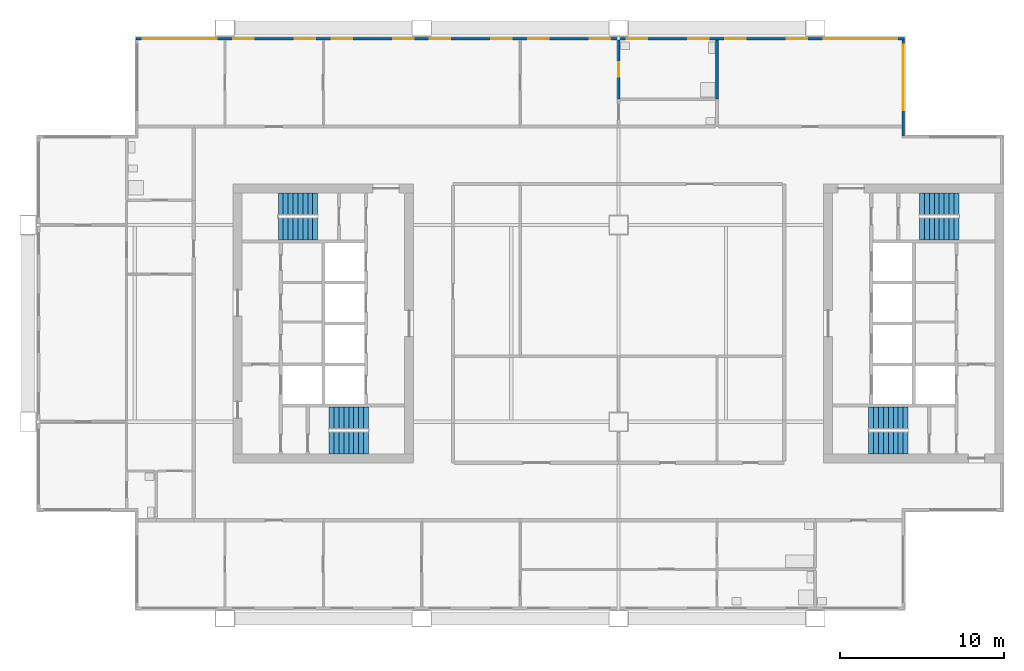
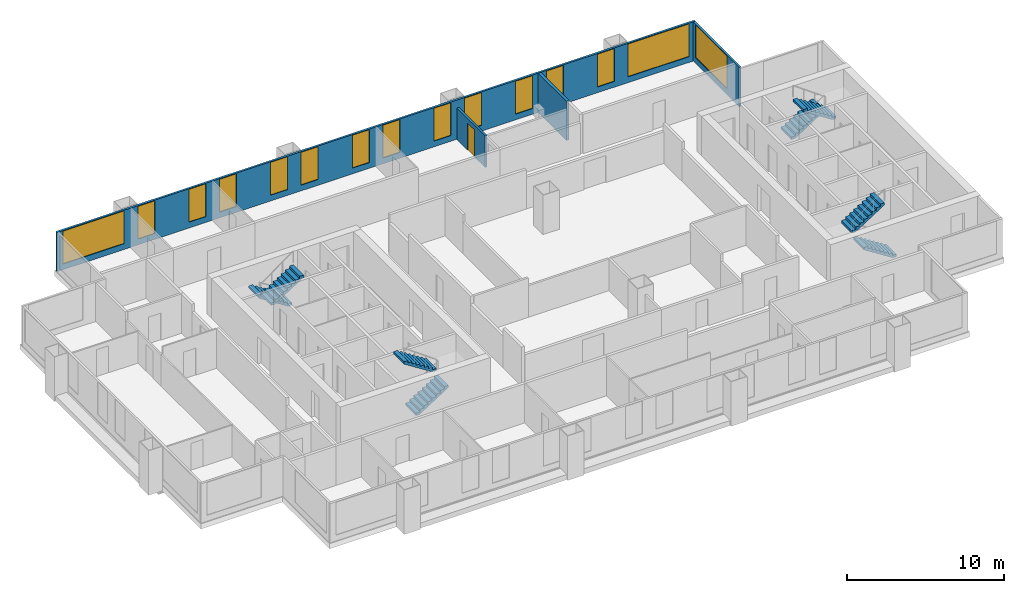
# One storey, part 7 of 9: 15 windows, 8 stair flights, 4 walls, 1 door, 16 openings, 4 elements without a shape of their own.
"""IFC4 building model written with IfcOpenShell, lengths in metres."""

from ifc_helpers import new_model, si_unit, direction, frame, frame_2d, origin, place, context, subcontext, project, spatial, polyline, rectangle, outline, extrude, material, layer, layer_set, type_object, element, fill, aggregate, save


model = new_model("IFC4")

# Units and contexts
model_context = context("Model", 3, precision=1e-05, world=origin(), true_north=direction((0.0, 1.0)))
body_context = subcontext(model_context, "Body", "Model", "MODEL_VIEW")
ifc_project = project(units=[si_unit("LENGTHUNIT", "METRE"), si_unit("AREAUNIT", "SQUARE_METRE"), si_unit("VOLUMEUNIT", "CUBIC_METRE"), si_unit("PLANEANGLEUNIT", "RADIAN"), si_unit("MASSUNIT", "GRAM", prefix="KILO")], contexts=[model_context])

# Site, building, storey
site_placement = place(None, origin())
site = spatial("IfcSite", under=ifc_project, at=site_placement, CompositionType="ELEMENT")
building_placement = place(site_placement, origin())
building = spatial("IfcBuilding", under=site, at=building_placement, Name="Kitamizu Gate Tower and Museum", CompositionType="ELEMENT")
storey_placement = place(building_placement, frame((0.0, 0.0, 196.199951171875)))
storey = spatial("IfcBuildingStorey", under=building, at=storey_placement, Name="L52", CompositionType="ELEMENT", Elevation=196.199951171875)

# Wall, opening, door
ifc_material_1 = material(Name="Gypsum board on galvanised stud")
ifc_layer_1 = layer(ifc_material_1, 0.14990234375)
ifc_layer_set_1 = layer_set([ifc_layer_1], Name="Gypsum board on galvanised stud")
wall_type_1 = type_object("IfcWallType", Name="Partition 150", PredefinedType="PARTITIONING", material=ifc_layer_set_1)
wall_1_placement = place(storey_placement, frame((36.0, 43.679931640625, 0.0), z_axis=(0.0, 0.0, 1.0), x_axis=(0.0, 1.0, 0.0)))
wall_1 = element("IfcWall", 1, at=wall_1_placement, inside=storey, type_object=wall_type_1, Name="Partition L52-030", PredefinedType="PARTITIONING", context=body_context, shape_type="SweptSolid", body=[
    extrude(rectangle(XDim=3.60009765625, YDim=0.14990234375, at=frame_2d((1.800048828125, 0.0))), origin(), (0.0, 0.0, 1.0), 2.449951171875),
])
opening_1_placement = place(wall_1_placement, frame((1.35009765625, 0.0, 0.0)))
opening_1 = element("IfcOpeningElement", 2, at=opening_1_placement, cuts=wall_1, Name="Opening L52-013", PredefinedType="OPENING", context=body_context, shape_type="SweptSolid", body=[
    extrude(rectangle(XDim=0.89990234375, YDim=2.10009765625, at=frame_2d((0.449951171875, 1.050048828125))), frame((0.0, 0.0849609375, 0.0), z_axis=(0.0, -1.0, 0.0), x_axis=(1.0, 0.0, 0.0)), (0.0, 0.0, 1.0), 0.169921875),
])
ifc_material_2 = material(Name="Timber door set", Category="wood")
door_type = type_object("IfcDoorType", Name="Bathroom door 900", OperationType="NOTDEFINED", PredefinedType="DOOR", material=ifc_material_2)
door_placement = place(opening_1_placement, frame((0.89990234375, 0.0, 0.0), x_axis=(-1.0, 0.0, 0.0)))
door = element("IfcDoor", 3, at=door_placement, inside=storey, type_object=door_type, Name="Bathroom door L52-013", OperationType="SINGLE_SWING_LEFT", OverallHeight=2.10009765625, OverallWidth=0.89990234375, PredefinedType="DOOR", context=body_context, shape_type="SweptSolid", body=[
    extrude(rectangle(XDim=0.89990234375, YDim=2.10009765625, at=frame_2d((0.449951171875, 1.050048828125))), frame((0.0, 0.02490234375, 0.0), z_axis=(0.0, -1.0, 0.0), x_axis=(1.0, 0.0, 0.0)), (0.0, 0.0, 1.0), 0.050048828125),
])
fill(opening_1, door)

# Wall
ifc_material_3 = material(Name="Gypsum board on galvanised stud")
ifc_layer_2 = layer(ifc_material_3, 0.199951171875)
ifc_layer_set_2 = layer_set([ifc_layer_2], Name="Gypsum board on galvanised stud")
wall_type_2 = type_object("IfcWallType", Name="Partition 200", PredefinedType="PARTITIONING", material=ifc_layer_set_2)
wall_2_placement = place(storey_placement, frame((42.0, 43.679931640625, 0.0), z_axis=(0.0, 0.0, 1.0), x_axis=(0.0, 1.0, 0.0)))
element("IfcWall", 4, at=wall_2_placement, inside=storey, type_object=wall_type_2, Name="Partition L52-034", PredefinedType="PARTITIONING", context=body_context, shape_type="SweptSolid", body=[
    extrude(rectangle(XDim=3.60009765625, YDim=0.199951171875, at=frame_2d((1.800048828125, 0.0))), origin(), (0.0, 0.0, 1.0), 3.050048828125),
])

# Wall, opening, window
ifc_material_4 = material(Name="Bronze anodised aluminium frame with insulated spandrel and tinted glass", Category="aluminium")
ifc_layer_3 = layer(ifc_material_4, 0.14990234375)
ifc_layer_set_3 = layer_set([ifc_layer_3], Name="Bronze anodised aluminium frame with insulated spandrel and tinted glass")
wall_type_3 = type_object("IfcWallType", Name="WINDOW WALL 150 BRONZE FRAME EI 30", PredefinedType="ELEMENTEDWALL", material=ifc_layer_set_3)
wall_3_placement = place(storey_placement, frame((53.364990234375, 41.43994140625, 0.0), z_axis=(0.0, 0.0, 1.0), x_axis=(0.0, 1.0, 0.0)))
wall_3 = element("IfcWall", 5, at=wall_3_placement, inside=storey, type_object=wall_type_3, Name="Window wall east L52", PredefinedType="ELEMENTEDWALL", context=body_context, shape_type="SweptSolid", body=[
    extrude(rectangle(XDim=5.85009765625, YDim=0.14990234375, at=frame_2d((2.925048828125, 0.0))), origin(), (0.0, 0.0, 1.0), 3.050048828125),
])
opening_2_placement = place(wall_3_placement, frame((1.56005859375, 0.0, 0.449951171875)))
opening_2 = element("IfcOpeningElement", 6, at=opening_2_placement, cuts=wall_3, Name="Opening W16", PredefinedType="OPENING", context=body_context, shape_type="SweptSolid", body=[
    extrude(rectangle(XDim=4.0, YDim=2.550048828125, at=frame_2d((2.0, 1.27490234375))), frame((0.0, 0.0849609375, 0.0), z_axis=(0.0, -1.0, 0.0), x_axis=(1.0, 0.0, 0.0)), (0.0, 0.0, 1.0), 0.169921875),
])
ifc_material_5 = material(Name="Bronze anodised aluminium frame, tinted triple glazing", Category="aluminium")
window_type_1 = type_object("IfcWindowType", Name="WINDOW 4000 x 2550 SILL 450", PartitioningType="SINGLE_PANEL", PredefinedType="WINDOW", material=ifc_material_5)
window_1_placement = place(opening_2_placement, origin())
window_1 = element("IfcWindow", 7, at=window_1_placement, inside=storey, type_object=window_type_1, Name="Window W16 L52", OverallHeight=2.550048828125, OverallWidth=4.0, PartitioningType="SINGLE_PANEL", PredefinedType="WINDOW", context=body_context, shape_type="SweptSolid", body=[
    extrude(rectangle(XDim=4.0, YDim=2.550048828125, at=frame_2d((2.0, 1.27490234375))), frame((0.0, 0.030029296875, 0.0), z_axis=(0.0, -1.0, 0.0), x_axis=(1.0, 0.0, 0.0)), (0.0, 0.0, 1.0), 0.06005859375),
])
fill(opening_2, window_1)

# Wall, openings, windows
wall_4_placement = place(storey_placement, frame((6.56005859375, 47.364990234375, 0.0), z_axis=(0.0, 0.0, 1.0), x_axis=(1.0, 0.0, 0.0)))
wall_4 = element("IfcWall", 8, at=wall_4_placement, inside=storey, type_object=wall_type_3, Name="Window wall north L52", PredefinedType="ELEMENTEDWALL", context=body_context, shape_type="SweptSolid", body=[
    extrude(rectangle(XDim=46.8798828125, YDim=0.14990234375, at=frame_2d((23.43994140625, 0.0))), origin(), (0.0, 0.0, 1.0), 3.050048828125),
])
opening_3_placement = place(wall_4_placement, frame((0.43994140625, 0.0, 0.449951171875)))
opening_3 = element("IfcOpeningElement", 9, at=opening_3_placement, cuts=wall_4, Name="Opening W15", PredefinedType="OPENING", context=body_context, shape_type="SweptSolid", body=[
    extrude(rectangle(XDim=4.5, YDim=2.550048828125, at=frame_2d((2.25, 1.27490234375))), frame((0.0, 0.0849609375, 0.0), z_axis=(0.0, -1.0, 0.0), x_axis=(1.0, 0.0, 0.0)), (0.0, 0.0, 1.0), 0.169921875),
])
opening_4_placement = place(wall_4_placement, frame((5.93994140625, 0.0, 0.449951171875)))
opening_4 = element("IfcOpeningElement", 10, at=opening_4_placement, cuts=wall_4, Name="Opening W27", PredefinedType="OPENING", context=body_context, shape_type="SweptSolid", body=[
    extrude(rectangle(XDim=1.25, YDim=2.550048828125, at=frame_2d((0.625, 1.27490234375))), frame((0.0, 0.0849609375, 0.0), z_axis=(0.0, -1.0, 0.0), x_axis=(1.0, 0.0, 0.0)), (0.0, 0.0, 1.0), 0.169921875),
])
opening_5_placement = place(wall_4_placement, frame((9.68994140625, 0.0, 0.449951171875)))
opening_5 = element("IfcOpeningElement", 11, at=opening_5_placement, cuts=wall_4, Name="Opening W27", PredefinedType="OPENING", context=body_context, shape_type="SweptSolid", body=[
    extrude(rectangle(XDim=1.25, YDim=2.550048828125, at=frame_2d((0.625, 1.27490234375))), frame((0.0, 0.0849609375, 0.0), z_axis=(0.0, -1.0, 0.0), x_axis=(1.0, 0.0, 0.0)), (0.0, 0.0, 1.0), 0.169921875),
])
opening_6_placement = place(wall_4_placement, frame((11.93994140625, 0.0, 0.449951171875)))
opening_6 = element("IfcOpeningElement", 12, at=opening_6_placement, cuts=wall_4, Name="Opening W27", PredefinedType="OPENING", context=body_context, shape_type="SweptSolid", body=[
    extrude(rectangle(XDim=1.25, YDim=2.550048828125, at=frame_2d((0.625, 1.27490234375))), frame((0.0, 0.0849609375, 0.0), z_axis=(0.0, -1.0, 0.0), x_axis=(1.0, 0.0, 0.0)), (0.0, 0.0, 1.0), 0.169921875),
])
opening_7_placement = place(wall_4_placement, frame((15.68994140625, 0.0, 0.449951171875)))
opening_7 = element("IfcOpeningElement", 13, at=opening_7_placement, cuts=wall_4, Name="Opening W27", PredefinedType="OPENING", context=body_context, shape_type="SweptSolid", body=[
    extrude(rectangle(XDim=1.25, YDim=2.550048828125, at=frame_2d((0.625, 1.27490234375))), frame((0.0, 0.0849609375, 0.0), z_axis=(0.0, -1.0, 0.0), x_axis=(1.0, 0.0, 0.0)), (0.0, 0.0, 1.0), 0.169921875),
])
opening_8_placement = place(wall_4_placement, frame((17.93994140625, 0.0, 0.449951171875)))
opening_8 = element("IfcOpeningElement", 14, at=opening_8_placement, cuts=wall_4, Name="Opening W27", PredefinedType="OPENING", context=body_context, shape_type="SweptSolid", body=[
    extrude(rectangle(XDim=1.25, YDim=2.550048828125, at=frame_2d((0.625, 1.27490234375))), frame((0.0, 0.0849609375, 0.0), z_axis=(0.0, -1.0, 0.0), x_axis=(1.0, 0.0, 0.0)), (0.0, 0.0, 1.0), 0.169921875),
])
opening_9_placement = place(wall_4_placement, frame((21.68994140625, 0.0, 0.449951171875)))
opening_9 = element("IfcOpeningElement", 15, at=opening_9_placement, cuts=wall_4, Name="Opening W27", PredefinedType="OPENING", context=body_context, shape_type="SweptSolid", body=[
    extrude(rectangle(XDim=1.25, YDim=2.550048828125, at=frame_2d((0.625, 1.27490234375))), frame((0.0, 0.0849609375, 0.0), z_axis=(0.0, -1.0, 0.0), x_axis=(1.0, 0.0, 0.0)), (0.0, 0.0, 1.0), 0.169921875),
])
opening_10_placement = place(wall_4_placement, frame((23.93994140625, 0.0, 0.449951171875)))
opening_10 = element("IfcOpeningElement", 16, at=opening_10_placement, cuts=wall_4, Name="Opening W27", PredefinedType="OPENING", context=body_context, shape_type="SweptSolid", body=[
    extrude(rectangle(XDim=1.25, YDim=2.550048828125, at=frame_2d((0.625, 1.27490234375))), frame((0.0, 0.0849609375, 0.0), z_axis=(0.0, -1.0, 0.0), x_axis=(1.0, 0.0, 0.0)), (0.0, 0.0, 1.0), 0.169921875),
])
opening_11_placement = place(wall_4_placement, frame((27.68994140625, 0.0, 0.449951171875)))
opening_11 = element("IfcOpeningElement", 17, at=opening_11_placement, cuts=wall_4, Name="Opening W27", PredefinedType="OPENING", context=body_context, shape_type="SweptSolid", body=[
    extrude(rectangle(XDim=1.25, YDim=2.550048828125, at=frame_2d((0.625, 1.27490234375))), frame((0.0, 0.0849609375, 0.0), z_axis=(0.0, -1.0, 0.0), x_axis=(1.0, 0.0, 0.0)), (0.0, 0.0, 1.0), 0.169921875),
])
opening_12_placement = place(wall_4_placement, frame((29.93994140625, 0.0, 0.449951171875)))
opening_12 = element("IfcOpeningElement", 18, at=opening_12_placement, cuts=wall_4, Name="Opening W27", PredefinedType="OPENING", context=body_context, shape_type="SweptSolid", body=[
    extrude(rectangle(XDim=1.25, YDim=2.550048828125, at=frame_2d((0.625, 1.27490234375))), frame((0.0, 0.0849609375, 0.0), z_axis=(0.0, -1.0, 0.0), x_axis=(1.0, 0.0, 0.0)), (0.0, 0.0, 1.0), 0.169921875),
])
opening_13_placement = place(wall_4_placement, frame((33.68994140625, 0.0, 0.449951171875)))
opening_13 = element("IfcOpeningElement", 19, at=opening_13_placement, cuts=wall_4, Name="Opening W27", PredefinedType="OPENING", context=body_context, shape_type="SweptSolid", body=[
    extrude(rectangle(XDim=1.25, YDim=2.550048828125, at=frame_2d((0.625, 1.27490234375))), frame((0.0, 0.0849609375, 0.0), z_axis=(0.0, -1.0, 0.0), x_axis=(1.0, 0.0, 0.0)), (0.0, 0.0, 1.0), 0.169921875),
])
opening_14_placement = place(wall_4_placement, frame((35.93994140625, 0.0, 0.449951171875)))
opening_14 = element("IfcOpeningElement", 20, at=opening_14_placement, cuts=wall_4, Name="Opening W27", PredefinedType="OPENING", context=body_context, shape_type="SweptSolid", body=[
    extrude(rectangle(XDim=1.25, YDim=2.550048828125, at=frame_2d((0.625, 1.27490234375))), frame((0.0, 0.0849609375, 0.0), z_axis=(0.0, -1.0, 0.0), x_axis=(1.0, 0.0, 0.0)), (0.0, 0.0, 1.0), 0.169921875),
])
opening_15_placement = place(wall_4_placement, frame((39.68994140625, 0.0, 0.449951171875)))
opening_15 = element("IfcOpeningElement", 21, at=opening_15_placement, cuts=wall_4, Name="Opening W27", PredefinedType="OPENING", context=body_context, shape_type="SweptSolid", body=[
    extrude(rectangle(XDim=1.25, YDim=2.550048828125, at=frame_2d((0.625, 1.27490234375))), frame((0.0, 0.0849609375, 0.0), z_axis=(0.0, -1.0, 0.0), x_axis=(1.0, 0.0, 0.0)), (0.0, 0.0, 1.0), 0.169921875),
])
opening_16_placement = place(wall_4_placement, frame((41.93994140625, 0.0, 0.449951171875)))
opening_16 = element("IfcOpeningElement", 22, at=opening_16_placement, cuts=wall_4, Name="Opening W15", PredefinedType="OPENING", context=body_context, shape_type="SweptSolid", body=[
    extrude(rectangle(XDim=4.5, YDim=2.550048828125, at=frame_2d((2.25, 1.27490234375))), frame((0.0, 0.0849609375, 0.0), z_axis=(0.0, -1.0, 0.0), x_axis=(1.0, 0.0, 0.0)), (0.0, 0.0, 1.0), 0.169921875),
])
ifc_material_6 = material(Name="Bronze anodised aluminium frame, tinted triple glazing", Category="aluminium")
window_type_2 = type_object("IfcWindowType", Name="WINDOW 1250 x 2550 SILL 450", PartitioningType="SINGLE_PANEL", PredefinedType="WINDOW", material=ifc_material_6)
window_2_placement = place(opening_4_placement, origin())
window_2 = element("IfcWindow", 23, at=window_2_placement, inside=storey, type_object=window_type_2, Name="Window W27 L52", OverallHeight=2.550048828125, OverallWidth=1.25, PartitioningType="SINGLE_PANEL", PredefinedType="WINDOW", context=body_context, shape_type="SweptSolid", body=[
    extrude(rectangle(XDim=1.25, YDim=2.550048828125, at=frame_2d((0.625, 1.27490234375))), frame((0.0, 0.030029296875, 0.0), z_axis=(0.0, -1.0, 0.0), x_axis=(1.0, 0.0, 0.0)), (0.0, 0.0, 1.0), 0.06005859375),
])
fill(opening_4, window_2)
window_3_placement = place(opening_5_placement, origin())
window_3 = element("IfcWindow", 24, at=window_3_placement, inside=storey, type_object=window_type_2, Name="Window W27 L52", OverallHeight=2.550048828125, OverallWidth=1.25, PartitioningType="SINGLE_PANEL", PredefinedType="WINDOW", context=body_context, shape_type="SweptSolid", body=[
    extrude(rectangle(XDim=1.25, YDim=2.550048828125, at=frame_2d((0.625, 1.27490234375))), frame((0.0, 0.030029296875, 0.0), z_axis=(0.0, -1.0, 0.0), x_axis=(1.0, 0.0, 0.0)), (0.0, 0.0, 1.0), 0.06005859375),
])
fill(opening_5, window_3)
window_4_placement = place(opening_6_placement, origin())
window_4 = element("IfcWindow", 25, at=window_4_placement, inside=storey, type_object=window_type_2, Name="Window W27 L52", OverallHeight=2.550048828125, OverallWidth=1.25, PartitioningType="SINGLE_PANEL", PredefinedType="WINDOW", context=body_context, shape_type="SweptSolid", body=[
    extrude(rectangle(XDim=1.25, YDim=2.550048828125, at=frame_2d((0.625, 1.27490234375))), frame((0.0, 0.030029296875, 0.0), z_axis=(0.0, -1.0, 0.0), x_axis=(1.0, 0.0, 0.0)), (0.0, 0.0, 1.0), 0.06005859375),
])
fill(opening_6, window_4)
window_5_placement = place(opening_7_placement, origin())
window_5 = element("IfcWindow", 26, at=window_5_placement, inside=storey, type_object=window_type_2, Name="Window W27 L52", OverallHeight=2.550048828125, OverallWidth=1.25, PartitioningType="SINGLE_PANEL", PredefinedType="WINDOW", context=body_context, shape_type="SweptSolid", body=[
    extrude(rectangle(XDim=1.25, YDim=2.550048828125, at=frame_2d((0.625, 1.27490234375))), frame((0.0, 0.030029296875, 0.0), z_axis=(0.0, -1.0, 0.0), x_axis=(1.0, 0.0, 0.0)), (0.0, 0.0, 1.0), 0.06005859375),
])
fill(opening_7, window_5)
window_6_placement = place(opening_8_placement, origin())
window_6 = element("IfcWindow", 27, at=window_6_placement, inside=storey, type_object=window_type_2, Name="Window W27 L52", OverallHeight=2.550048828125, OverallWidth=1.25, PartitioningType="SINGLE_PANEL", PredefinedType="WINDOW", context=body_context, shape_type="SweptSolid", body=[
    extrude(rectangle(XDim=1.25, YDim=2.550048828125, at=frame_2d((0.625, 1.27490234375))), frame((0.0, 0.030029296875, 0.0), z_axis=(0.0, -1.0, 0.0), x_axis=(1.0, 0.0, 0.0)), (0.0, 0.0, 1.0), 0.06005859375),
])
fill(opening_8, window_6)
window_7_placement = place(opening_9_placement, origin())
window_7 = element("IfcWindow", 28, at=window_7_placement, inside=storey, type_object=window_type_2, Name="Window W27 L52", OverallHeight=2.550048828125, OverallWidth=1.25, PartitioningType="SINGLE_PANEL", PredefinedType="WINDOW", context=body_context, shape_type="SweptSolid", body=[
    extrude(rectangle(XDim=1.25, YDim=2.550048828125, at=frame_2d((0.625, 1.27490234375))), frame((0.0, 0.030029296875, 0.0), z_axis=(0.0, -1.0, 0.0), x_axis=(1.0, 0.0, 0.0)), (0.0, 0.0, 1.0), 0.06005859375),
])
fill(opening_9, window_7)
window_8_placement = place(opening_10_placement, origin())
window_8 = element("IfcWindow", 29, at=window_8_placement, inside=storey, type_object=window_type_2, Name="Window W27 L52", OverallHeight=2.550048828125, OverallWidth=1.25, PartitioningType="SINGLE_PANEL", PredefinedType="WINDOW", context=body_context, shape_type="SweptSolid", body=[
    extrude(rectangle(XDim=1.25, YDim=2.550048828125, at=frame_2d((0.625, 1.27490234375))), frame((0.0, 0.030029296875, 0.0), z_axis=(0.0, -1.0, 0.0), x_axis=(1.0, 0.0, 0.0)), (0.0, 0.0, 1.0), 0.06005859375),
])
fill(opening_10, window_8)
window_9_placement = place(opening_11_placement, origin())
window_9 = element("IfcWindow", 30, at=window_9_placement, inside=storey, type_object=window_type_2, Name="Window W27 L52", OverallHeight=2.550048828125, OverallWidth=1.25, PartitioningType="SINGLE_PANEL", PredefinedType="WINDOW", context=body_context, shape_type="SweptSolid", body=[
    extrude(rectangle(XDim=1.25, YDim=2.550048828125, at=frame_2d((0.625, 1.27490234375))), frame((0.0, 0.030029296875, 0.0), z_axis=(0.0, -1.0, 0.0), x_axis=(1.0, 0.0, 0.0)), (0.0, 0.0, 1.0), 0.06005859375),
])
fill(opening_11, window_9)
window_10_placement = place(opening_12_placement, origin())
window_10 = element("IfcWindow", 31, at=window_10_placement, inside=storey, type_object=window_type_2, Name="Window W27 L52", OverallHeight=2.550048828125, OverallWidth=1.25, PartitioningType="SINGLE_PANEL", PredefinedType="WINDOW", context=body_context, shape_type="SweptSolid", body=[
    extrude(rectangle(XDim=1.25, YDim=2.550048828125, at=frame_2d((0.625, 1.27490234375))), frame((0.0, 0.030029296875, 0.0), z_axis=(0.0, -1.0, 0.0), x_axis=(1.0, 0.0, 0.0)), (0.0, 0.0, 1.0), 0.06005859375),
])
fill(opening_12, window_10)
window_11_placement = place(opening_13_placement, origin())
window_11 = element("IfcWindow", 32, at=window_11_placement, inside=storey, type_object=window_type_2, Name="Window W27 L52", OverallHeight=2.550048828125, OverallWidth=1.25, PartitioningType="SINGLE_PANEL", PredefinedType="WINDOW", context=body_context, shape_type="SweptSolid", body=[
    extrude(rectangle(XDim=1.25, YDim=2.550048828125, at=frame_2d((0.625, 1.27490234375))), frame((0.0, 0.030029296875, 0.0), z_axis=(0.0, -1.0, 0.0), x_axis=(1.0, 0.0, 0.0)), (0.0, 0.0, 1.0), 0.06005859375),
])
fill(opening_13, window_11)
window_12_placement = place(opening_14_placement, origin())
window_12 = element("IfcWindow", 33, at=window_12_placement, inside=storey, type_object=window_type_2, Name="Window W27 L52", OverallHeight=2.550048828125, OverallWidth=1.25, PartitioningType="SINGLE_PANEL", PredefinedType="WINDOW", context=body_context, shape_type="SweptSolid", body=[
    extrude(rectangle(XDim=1.25, YDim=2.550048828125, at=frame_2d((0.625, 1.27490234375))), frame((0.0, 0.030029296875, 0.0), z_axis=(0.0, -1.0, 0.0), x_axis=(1.0, 0.0, 0.0)), (0.0, 0.0, 1.0), 0.06005859375),
])
fill(opening_14, window_12)
window_13_placement = place(opening_15_placement, origin())
window_13 = element("IfcWindow", 34, at=window_13_placement, inside=storey, type_object=window_type_2, Name="Window W27 L52", OverallHeight=2.550048828125, OverallWidth=1.25, PartitioningType="SINGLE_PANEL", PredefinedType="WINDOW", context=body_context, shape_type="SweptSolid", body=[
    extrude(rectangle(XDim=1.25, YDim=2.550048828125, at=frame_2d((0.625, 1.27490234375))), frame((0.0, 0.030029296875, 0.0), z_axis=(0.0, -1.0, 0.0), x_axis=(1.0, 0.0, 0.0)), (0.0, 0.0, 1.0), 0.06005859375),
])
fill(opening_15, window_13)
ifc_material_7 = material(Name="Bronze anodised aluminium frame, tinted triple glazing", Category="aluminium")
window_type_3 = type_object("IfcWindowType", Name="WINDOW 4500 x 2550 SILL 450", PartitioningType="SINGLE_PANEL", PredefinedType="WINDOW", material=ifc_material_7)
window_14_placement = place(opening_3_placement, origin())
window_14 = element("IfcWindow", 35, at=window_14_placement, inside=storey, type_object=window_type_3, Name="Window W15 L52", OverallHeight=2.550048828125, OverallWidth=4.5, PartitioningType="SINGLE_PANEL", PredefinedType="WINDOW", context=body_context, shape_type="SweptSolid", body=[
    extrude(rectangle(XDim=4.5, YDim=2.550048828125, at=frame_2d((2.25, 1.27490234375))), frame((0.0, 0.030029296875, 0.0), z_axis=(0.0, -1.0, 0.0), x_axis=(1.0, 0.0, 0.0)), (0.0, 0.0, 1.0), 0.06005859375),
])
fill(opening_3, window_14)
window_15_placement = place(opening_16_placement, origin())
window_15 = element("IfcWindow", 36, at=window_15_placement, inside=storey, type_object=window_type_3, Name="Window W15 L52", OverallHeight=2.550048828125, OverallWidth=4.5, PartitioningType="SINGLE_PANEL", PredefinedType="WINDOW", context=body_context, shape_type="SweptSolid", body=[
    extrude(rectangle(XDim=4.5, YDim=2.550048828125, at=frame_2d((2.25, 1.27490234375))), frame((0.0, 0.030029296875, 0.0), z_axis=(0.0, -1.0, 0.0), x_axis=(1.0, 0.0, 0.0)), (0.0, 0.0, 1.0), 0.06005859375),
])
fill(opening_16, window_15)

# Stair, stair flights
ifc_material_8 = material(Name="Concrete Fc42", Category="concrete")
stair_type = type_object("IfcStairType", Name="Exit stair 1325 wide 192 rise 300 going", PredefinedType="HALF_TURN_STAIR", material=ifc_material_8)
stair_1_placement = place(storey_placement, origin())
stair_1 = element("IfcStair", 37, at=stair_1_placement, inside=storey, type_object=stair_type, Name="Exit stair ST1", PredefinedType="HALF_TURN_STAIR")
ifc_material_9 = material(Name="Concrete Fc42", Category="concrete")
stair_flight_type = type_object("IfcStairFlightType", Name="Stair flight 1325 wide 192 rise 300 going", PredefinedType="STRAIGHT", material=ifc_material_9)
stair_flight_1_placement = place(storey_placement, frame((18.35009765625, 22.71240234375, 0.0), z_axis=(0.0, 0.0, 1.0), x_axis=(1.0, 0.0, 0.0)))
stair_flight_1 = element("IfcStairFlight", 38, at=stair_flight_1_placement, type_object=stair_flight_type, Name="ST1 flight 1", NumberOfRisers=9, NumberOfTreads=8, PredefinedType="STRAIGHT", RiserHeight=0.191666667, TreadLength=0.3, context=body_context, shape_type="SweptSolid", body=[
    extrude(outline(polyline([(0.0, 0.0), (0.0, 0.191650390625), (0.300048828125, 0.191650390625), (0.300048828125, 0.38330078125), (0.60009765625, 0.38330078125), (0.60009765625, 0.574951171875), (0.89990234375, 0.574951171875), (0.89990234375, 0.7666015625), (1.199951171875, 0.7666015625), (1.199951171875, 0.958251953125), (1.5, 0.958251953125), (1.5, 1.14990234375), (1.800048828125, 1.14990234375), (1.800048828125, 1.341552734375), (2.10009765625, 1.341552734375), (2.10009765625, 1.533447265625), (2.39990234375, 1.533447265625), (2.39990234375, 1.72509765625), (2.39990234375, 1.35546875), (0.2783203125, 0.0), (0.0, 0.0)])), frame((0.0, 0.66259765625, 0.0), z_axis=(0.0, -1.0, 0.0), x_axis=(1.0, 0.0, 0.0)), (0.0, 0.0, 1.0), 1.324951171875),
])
stair_flight_2_placement = place(storey_placement, frame((20.75, 24.237548828125, 1.72509765625), z_axis=(0.0, 0.0, 1.0), x_axis=(-1.0, 0.0, 0.0)))
stair_flight_2 = element("IfcStairFlight", 39, at=stair_flight_2_placement, type_object=stair_flight_type, Name="ST1 flight 2", NumberOfRisers=9, NumberOfTreads=8, PredefinedType="STRAIGHT", RiserHeight=0.191666667, TreadLength=0.3, context=body_context, shape_type="SweptSolid", body=[
    extrude(outline(polyline([(0.0, 0.0), (0.0, 0.191650390625), (0.300048828125, 0.191650390625), (0.300048828125, 0.38330078125), (0.60009765625, 0.38330078125), (0.60009765625, 0.574951171875), (0.89990234375, 0.574951171875), (0.89990234375, 0.7666015625), (1.199951171875, 0.7666015625), (1.199951171875, 0.958251953125), (1.5, 0.958251953125), (1.5, 1.14990234375), (1.800048828125, 1.14990234375), (1.800048828125, 1.341552734375), (2.10009765625, 1.341552734375), (2.10009765625, 1.533447265625), (2.39990234375, 1.533447265625), (2.39990234375, 1.72509765625), (2.39990234375, 1.35546875), (0.2783203125, 0.0), (0.0, 0.0)])), frame((0.0, 0.66259765625, 0.0), z_axis=(0.0, -1.0, 0.0), x_axis=(1.0, 0.0, 0.0)), (0.0, 0.0, 1.0), 1.324951171875),
])
aggregate(stair_1, [stair_flight_1, stair_flight_2])

stair_2_placement = place(storey_placement, origin())
stair_2 = element("IfcStair", 40, at=stair_2_placement, inside=storey, type_object=stair_type, Name="Exit stair ST2", PredefinedType="HALF_TURN_STAIR")
stair_flight_3_placement = place(storey_placement, frame((17.64990234375, 37.28759765625, 0.0), z_axis=(0.0, 0.0, 1.0), x_axis=(-1.0, 0.0, 0.0)))
stair_flight_3 = element("IfcStairFlight", 41, at=stair_flight_3_placement, type_object=stair_flight_type, Name="ST2 flight 1", NumberOfRisers=9, NumberOfTreads=8, PredefinedType="STRAIGHT", RiserHeight=0.191666667, TreadLength=0.3, context=body_context, shape_type="SweptSolid", body=[
    extrude(outline(polyline([(0.0, 0.0), (0.0, 0.191650390625), (0.300048828125, 0.191650390625), (0.300048828125, 0.38330078125), (0.60009765625, 0.38330078125), (0.60009765625, 0.574951171875), (0.89990234375, 0.574951171875), (0.89990234375, 0.7666015625), (1.199951171875, 0.7666015625), (1.199951171875, 0.958251953125), (1.5, 0.958251953125), (1.5, 1.14990234375), (1.800048828125, 1.14990234375), (1.800048828125, 1.341552734375), (2.10009765625, 1.341552734375), (2.10009765625, 1.533447265625), (2.39990234375, 1.533447265625), (2.39990234375, 1.72509765625), (2.39990234375, 1.35546875), (0.2783203125, 0.0), (0.0, 0.0)])), frame((0.0, 0.66259765625, 0.0), z_axis=(0.0, -1.0, 0.0), x_axis=(1.0, 0.0, 0.0)), (0.0, 0.0, 1.0), 1.324951171875),
])
stair_flight_4_placement = place(storey_placement, frame((15.25, 35.762451171875, 1.72509765625), z_axis=(0.0, 0.0, 1.0), x_axis=(1.0, 0.0, 0.0)))
stair_flight_4 = element("IfcStairFlight", 42, at=stair_flight_4_placement, type_object=stair_flight_type, Name="ST2 flight 2", NumberOfRisers=9, NumberOfTreads=8, PredefinedType="STRAIGHT", RiserHeight=0.191666667, TreadLength=0.3, context=body_context, shape_type="SweptSolid", body=[
    extrude(outline(polyline([(0.0, 0.0), (0.0, 0.191650390625), (0.300048828125, 0.191650390625), (0.300048828125, 0.38330078125), (0.60009765625, 0.38330078125), (0.60009765625, 0.574951171875), (0.89990234375, 0.574951171875), (0.89990234375, 0.7666015625), (1.199951171875, 0.7666015625), (1.199951171875, 0.958251953125), (1.5, 0.958251953125), (1.5, 1.14990234375), (1.800048828125, 1.14990234375), (1.800048828125, 1.341552734375), (2.10009765625, 1.341552734375), (2.10009765625, 1.533447265625), (2.39990234375, 1.533447265625), (2.39990234375, 1.72509765625), (2.39990234375, 1.35546875), (0.2783203125, 0.0), (0.0, 0.0)])), frame((0.0, 0.66259765625, 0.0), z_axis=(0.0, -1.0, 0.0), x_axis=(1.0, 0.0, 0.0)), (0.0, 0.0, 1.0), 1.324951171875),
])
aggregate(stair_2, [stair_flight_3, stair_flight_4])

stair_3_placement = place(storey_placement, origin())
stair_3 = element("IfcStair", 43, at=stair_3_placement, inside=storey, type_object=stair_type, Name="Exit stair ST3", PredefinedType="HALF_TURN_STAIR")
stair_flight_5_placement = place(storey_placement, frame((53.64990234375, 22.71240234375, 0.0), z_axis=(0.0, 0.0, 1.0), x_axis=(-1.0, 0.0, 0.0)))
stair_flight_5 = element("IfcStairFlight", 44, at=stair_flight_5_placement, type_object=stair_flight_type, Name="ST3 flight 1", NumberOfRisers=9, NumberOfTreads=8, PredefinedType="STRAIGHT", RiserHeight=0.191666667, TreadLength=0.3, context=body_context, shape_type="SweptSolid", body=[
    extrude(outline(polyline([(0.0, 0.0), (0.0, 0.191650390625), (0.300048828125, 0.191650390625), (0.300048828125, 0.38330078125), (0.60009765625, 0.38330078125), (0.60009765625, 0.574951171875), (0.89990234375, 0.574951171875), (0.89990234375, 0.7666015625), (1.199951171875, 0.7666015625), (1.199951171875, 0.958251953125), (1.5, 0.958251953125), (1.5, 1.14990234375), (1.800048828125, 1.14990234375), (1.800048828125, 1.341552734375), (2.10009765625, 1.341552734375), (2.10009765625, 1.533447265625), (2.39990234375, 1.533447265625), (2.39990234375, 1.72509765625), (2.39990234375, 1.35546875), (0.2783203125, 0.0), (0.0, 0.0)])), frame((0.0, 0.66259765625, 0.0), z_axis=(0.0, -1.0, 0.0), x_axis=(1.0, 0.0, 0.0)), (0.0, 0.0, 1.0), 1.324951171875),
])
stair_flight_6_placement = place(storey_placement, frame((51.25, 24.237548828125, 1.72509765625), z_axis=(0.0, 0.0, 1.0), x_axis=(1.0, 0.0, 0.0)))
stair_flight_6 = element("IfcStairFlight", 45, at=stair_flight_6_placement, type_object=stair_flight_type, Name="ST3 flight 2", NumberOfRisers=9, NumberOfTreads=8, PredefinedType="STRAIGHT", RiserHeight=0.191666667, TreadLength=0.3, context=body_context, shape_type="SweptSolid", body=[
    extrude(outline(polyline([(0.0, 0.0), (0.0, 0.191650390625), (0.300048828125, 0.191650390625), (0.300048828125, 0.38330078125), (0.60009765625, 0.38330078125), (0.60009765625, 0.574951171875), (0.89990234375, 0.574951171875), (0.89990234375, 0.7666015625), (1.199951171875, 0.7666015625), (1.199951171875, 0.958251953125), (1.5, 0.958251953125), (1.5, 1.14990234375), (1.800048828125, 1.14990234375), (1.800048828125, 1.341552734375), (2.10009765625, 1.341552734375), (2.10009765625, 1.533447265625), (2.39990234375, 1.533447265625), (2.39990234375, 1.72509765625), (2.39990234375, 1.35546875), (0.2783203125, 0.0), (0.0, 0.0)])), frame((0.0, 0.66259765625, 0.0), z_axis=(0.0, -1.0, 0.0), x_axis=(1.0, 0.0, 0.0)), (0.0, 0.0, 1.0), 1.324951171875),
])
aggregate(stair_3, [stair_flight_5, stair_flight_6])

stair_4_placement = place(storey_placement, origin())
stair_4 = element("IfcStair", 46, at=stair_4_placement, inside=storey, type_object=stair_type, Name="Exit stair ST4", PredefinedType="HALF_TURN_STAIR")
stair_flight_7_placement = place(storey_placement, frame((54.35009765625, 37.28759765625, 0.0), z_axis=(0.0, 0.0, 1.0), x_axis=(1.0, 0.0, 0.0)))
stair_flight_7 = element("IfcStairFlight", 47, at=stair_flight_7_placement, type_object=stair_flight_type, Name="ST4 flight 1", NumberOfRisers=9, NumberOfTreads=8, PredefinedType="STRAIGHT", RiserHeight=0.191666667, TreadLength=0.3, context=body_context, shape_type="SweptSolid", body=[
    extrude(outline(polyline([(0.0, 0.0), (0.0, 0.191650390625), (0.300048828125, 0.191650390625), (0.300048828125, 0.38330078125), (0.60009765625, 0.38330078125), (0.60009765625, 0.574951171875), (0.89990234375, 0.574951171875), (0.89990234375, 0.7666015625), (1.199951171875, 0.7666015625), (1.199951171875, 0.958251953125), (1.5, 0.958251953125), (1.5, 1.14990234375), (1.800048828125, 1.14990234375), (1.800048828125, 1.341552734375), (2.10009765625, 1.341552734375), (2.10009765625, 1.533447265625), (2.39990234375, 1.533447265625), (2.39990234375, 1.72509765625), (2.39990234375, 1.35546875), (0.2783203125, 0.0), (0.0, 0.0)])), frame((0.0, 0.66259765625, 0.0), z_axis=(0.0, -1.0, 0.0), x_axis=(1.0, 0.0, 0.0)), (0.0, 0.0, 1.0), 1.324951171875),
])
stair_flight_8_placement = place(storey_placement, frame((56.75, 35.762451171875, 1.72509765625), z_axis=(0.0, 0.0, 1.0), x_axis=(-1.0, 0.0, 0.0)))
stair_flight_8 = element("IfcStairFlight", 48, at=stair_flight_8_placement, type_object=stair_flight_type, Name="ST4 flight 2", NumberOfRisers=9, NumberOfTreads=8, PredefinedType="STRAIGHT", RiserHeight=0.191666667, TreadLength=0.3, context=body_context, shape_type="SweptSolid", body=[
    extrude(outline(polyline([(0.0, 0.0), (0.0, 0.191650390625), (0.300048828125, 0.191650390625), (0.300048828125, 0.38330078125), (0.60009765625, 0.38330078125), (0.60009765625, 0.574951171875), (0.89990234375, 0.574951171875), (0.89990234375, 0.7666015625), (1.199951171875, 0.7666015625), (1.199951171875, 0.958251953125), (1.5, 0.958251953125), (1.5, 1.14990234375), (1.800048828125, 1.14990234375), (1.800048828125, 1.341552734375), (2.10009765625, 1.341552734375), (2.10009765625, 1.533447265625), (2.39990234375, 1.533447265625), (2.39990234375, 1.72509765625), (2.39990234375, 1.35546875), (0.2783203125, 0.0), (0.0, 0.0)])), frame((0.0, 0.66259765625, 0.0), z_axis=(0.0, -1.0, 0.0), x_axis=(1.0, 0.0, 0.0)), (0.0, 0.0, 1.0), 1.324951171875),
])
aggregate(stair_4, [stair_flight_7, stair_flight_8])

save(model, "model.ifc")
